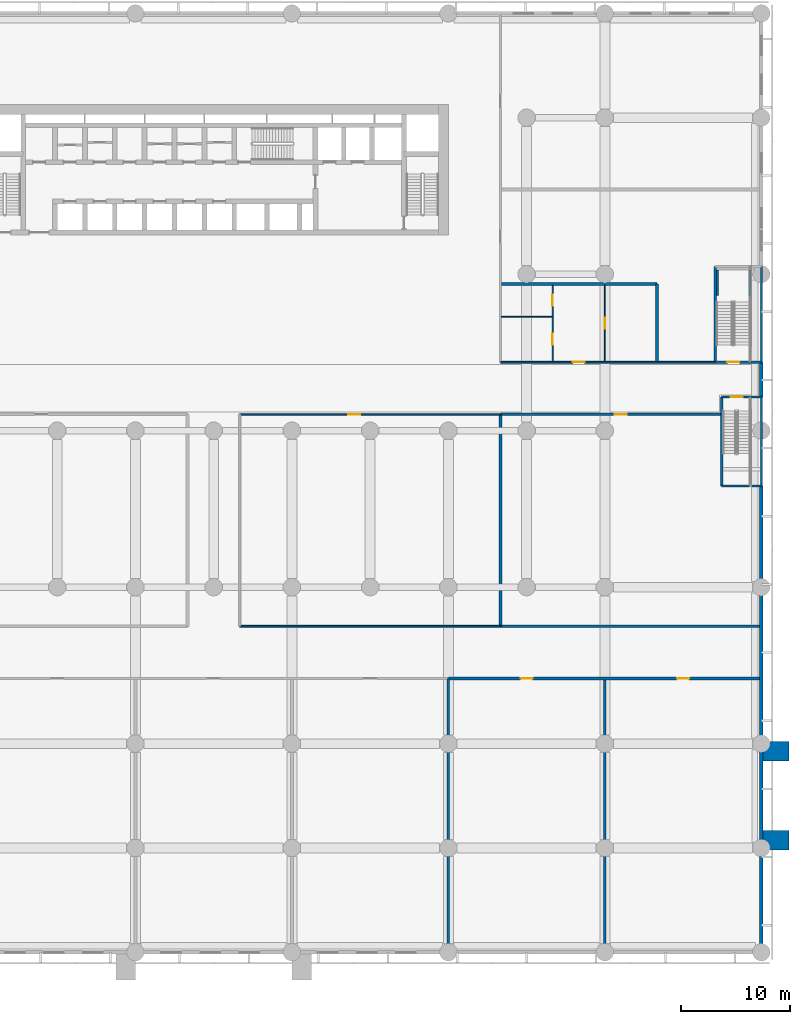
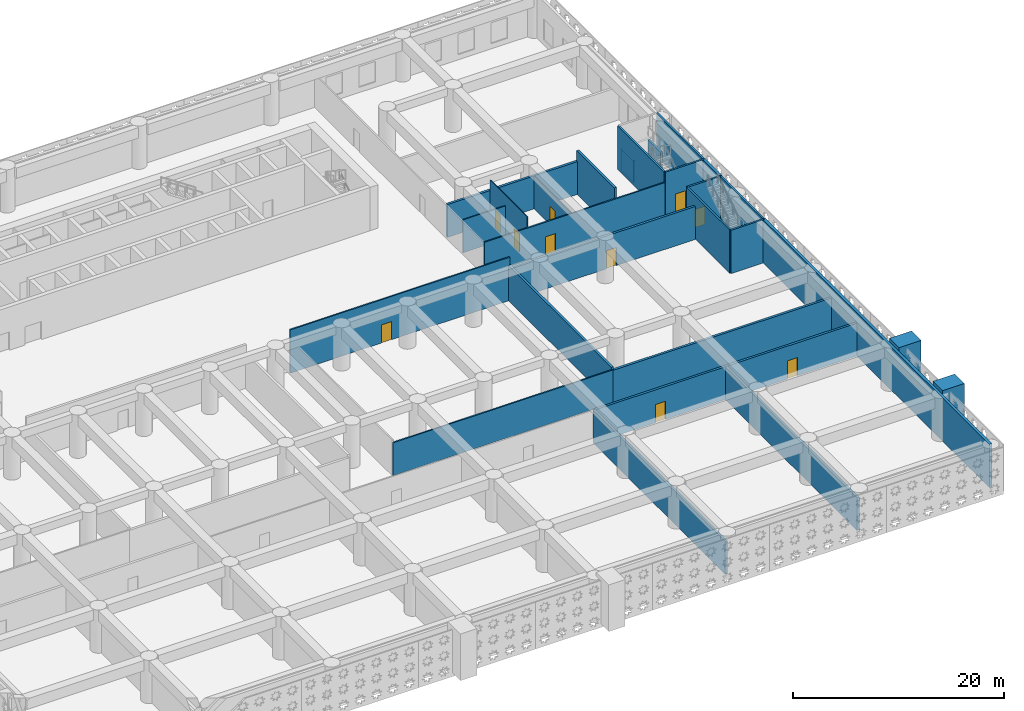
# One storey, part 6 of 30: 27 walls, 10 doors, 10 openings.
"""IFC4 building model written with IfcOpenShell, lengths in metres."""

from ifc_helpers import new_model, si_unit, direction, frame, frame_2d, origin, place, context, subcontext, project, spatial, rectangle, extrude, material, layer, layer_set, type_object, element, fill, save


model = new_model("IFC4")

# Units and contexts
model_context = context("Model", 3, precision=1e-05, world=origin(), true_north=direction((0.0, 1.0)))
body_context = subcontext(model_context, "Body", "Model", "MODEL_VIEW")
ifc_project = project(units=[si_unit("LENGTHUNIT", "METRE"), si_unit("AREAUNIT", "SQUARE_METRE"), si_unit("VOLUMEUNIT", "CUBIC_METRE"), si_unit("PLANEANGLEUNIT", "RADIAN"), si_unit("MASSUNIT", "GRAM", prefix="KILO")], contexts=[model_context])

# Site, building, storey
site_placement = place(None, origin())
site = spatial("IfcSite", under=ifc_project, at=site_placement, CompositionType="ELEMENT")
building_placement = place(site_placement, origin())
building = spatial("IfcBuilding", under=site, at=building_placement, Name="Saffron Iwan Residences", CompositionType="ELEMENT")
storey_placement = place(building_placement, frame((0.0, 0.0, 7.800048828125)))
storey = spatial("IfcBuildingStorey", under=building, at=storey_placement, Name="L01", CompositionType="ELEMENT", Elevation=7.800048828125)

# Wall
ifc_material_1 = material(Name="Concrete blockwork", Category="masonry")
ifc_layer_1 = layer(ifc_material_1, 0.14990234375)
ifc_layer_set_1 = layer_set([ifc_layer_1], Name="Concrete blockwork")
wall_type_1 = type_object("IfcWallType", Name="Blockwork partition 150", PredefinedType="PARTITIONING", material=ifc_layer_set_1)
wall_1_placement = place(storey_placement, frame((52.800048828125, 30.0, 0.0), z_axis=(0.0, 0.0, 1.0), x_axis=(1.0, 0.0, 0.0)))
element("IfcWall", 1, at=wall_1_placement, inside=storey, type_object=wall_type_1, Name="W-L01-006", PredefinedType="PARTITIONING", context=body_context, shape_type="SweptSolid", body=[
    extrude(rectangle(XDim=24.0, YDim=0.14990234375, at=frame_2d((12.0, 0.0))), origin(), (0.0, 0.0, 1.0), 3.800048828125),
])

# Wall, opening, door
wall_2_placement = place(storey_placement, frame((52.800048828125, 49.5, 0.0), z_axis=(0.0, 0.0, 1.0), x_axis=(1.0, 0.0, 0.0)))
wall_2 = element("IfcWall", 2, at=wall_2_placement, inside=storey, type_object=wall_type_1, Name="W-L01-012", PredefinedType="PARTITIONING", context=body_context, shape_type="SweptSolid", body=[
    extrude(rectangle(XDim=24.0, YDim=0.14990234375, at=frame_2d((12.0, 0.0))), origin(), (0.0, 0.0, 1.0), 5.0),
])
opening_1_placement = place(wall_2_placement, frame((10.0, 0.0, 0.0)))
opening_1 = element("IfcOpeningElement", 3, at=opening_1_placement, cuts=wall_2, Name="Opening L01.10", PredefinedType="OPENING", context=body_context, shape_type="SweptSolid", body=[
    extrude(rectangle(XDim=1.10009765625, YDim=2.10009765625, at=frame_2d((0.550048828125, 1.050048828125))), frame((0.0, 0.0849609375, 0.0), z_axis=(0.0, -1.0, 0.0), x_axis=(1.0, 0.0, 0.0)), (0.0, 0.0, 1.0), 0.169921875),
])
ifc_material_2 = material(Name="Timber", Category="wood")
door_type_1 = type_object("IfcDoorType", Name="Door 1100x2100", OperationType="NOTDEFINED", PredefinedType="DOOR", material=ifc_material_2)
door_1_placement = place(opening_1_placement, origin())
door_1 = element("IfcDoor", 4, at=door_1_placement, inside=storey, type_object=door_type_1, Name="D-L01-010", OperationType="SINGLE_SWING_LEFT", OverallHeight=2.10009765625, OverallWidth=1.10009765625, PredefinedType="DOOR", context=body_context, shape_type="SweptSolid", body=[
    extrude(rectangle(XDim=1.10009765625, YDim=2.10009765625, at=frame_2d((0.550048828125, 1.050048828125))), frame((0.0, 0.02490234375, 0.0), z_axis=(0.0, -1.0, 0.0), x_axis=(1.0, 0.0, 0.0)), (0.0, 0.0, 1.0), 0.050048828125),
])
fill(opening_1, door_1)

wall_3_placement = place(storey_placement, frame((76.800048828125, 54.300048828125, 0.0), z_axis=(0.0, 0.0, 1.0), x_axis=(1.0, 0.0, 0.0)))
wall_3 = element("IfcWall", 5, at=wall_3_placement, inside=storey, type_object=wall_type_1, Name="W-L01-017", PredefinedType="PARTITIONING", context=body_context, shape_type="SweptSolid", body=[
    extrude(rectangle(XDim=19.75, YDim=0.14990234375, at=frame_2d((9.875, 0.0))), origin(), (0.0, 0.0, 1.0), 3.800048828125),
])
opening_2_placement = place(wall_3_placement, frame((6.64990234375, 0.0, 0.0)))
opening_2 = element("IfcOpeningElement", 6, at=opening_2_placement, cuts=wall_3, Name="Opening L01.19", PredefinedType="OPENING", context=body_context, shape_type="SweptSolid", body=[
    extrude(rectangle(XDim=1.10009765625, YDim=2.10009765625, at=frame_2d((0.550048828125, 1.050048828125))), frame((0.0, 0.0849609375, 0.0), z_axis=(0.0, -1.0, 0.0), x_axis=(1.0, 0.0, 0.0)), (0.0, 0.0, 1.0), 0.169921875),
])
door_2_placement = place(opening_2_placement, origin())
door_2 = element("IfcDoor", 7, at=door_2_placement, inside=storey, type_object=door_type_1, Name="D-L01-019", OperationType="SINGLE_SWING_LEFT", OverallHeight=2.10009765625, OverallWidth=1.10009765625, PredefinedType="DOOR", context=body_context, shape_type="SweptSolid", body=[
    extrude(rectangle(XDim=1.10009765625, YDim=2.10009765625, at=frame_2d((0.550048828125, 1.050048828125))), frame((0.0, 0.02490234375, 0.0), z_axis=(0.0, -1.0, 0.0), x_axis=(1.0, 0.0, 0.0)), (0.0, 0.0, 1.0), 0.050048828125),
])
fill(opening_2, door_2)

# Wall, openings, doors
ifc_material_3 = material(Name="Concrete C40/50", Category="concrete")
ifc_layer_2 = layer(ifc_material_3, 0.25)
ifc_layer_set_2 = layer_set([ifc_layer_2], Name="Concrete C40/50")
wall_type_2 = type_object("IfcWallType", Name="Fire compartment wall 250", PredefinedType="SOLIDWALL", material=ifc_layer_set_2)
wall_4_placement = place(storey_placement, frame((72.0, 25.199951171875, 0.0), z_axis=(0.0, 0.0, 1.0), x_axis=(1.0, 0.0, 0.0)))
wall_4 = element("IfcWall", 8, at=wall_4_placement, inside=storey, type_object=wall_type_2, Name="W-L01-004", PredefinedType="SOLIDWALL", context=body_context, shape_type="SweptSolid", body=[
    extrude(rectangle(XDim=28.64990234375, YDim=0.25, at=frame_2d((14.324951171875, 0.0))), origin(), (0.0, 0.0, 1.0), 3.800048828125),
])
opening_3_placement = place(wall_4_placement, frame((6.64990234375, 0.0, 0.0)))
opening_3 = element("IfcOpeningElement", 9, at=opening_3_placement, cuts=wall_4, Name="Opening L01.06", PredefinedType="OPENING", context=body_context, shape_type="SweptSolid", body=[
    extrude(rectangle(XDim=1.10009765625, YDim=2.10009765625, at=frame_2d((0.550048828125, 1.050048828125))), frame((0.0, 0.135009765625, 0.0), z_axis=(0.0, -1.0, 0.0), x_axis=(1.0, 0.0, 0.0)), (0.0, 0.0, 1.0), 0.27001953125),
])
opening_4_placement = place(wall_4_placement, frame((21.050048828125, 0.0, 0.0)))
opening_4 = element("IfcOpeningElement", 10, at=opening_4_placement, cuts=wall_4, Name="Opening L01.07", PredefinedType="OPENING", context=body_context, shape_type="SweptSolid", body=[
    extrude(rectangle(XDim=1.10009765625, YDim=2.10009765625, at=frame_2d((0.550048828125, 1.050048828125))), frame((0.0, 0.135009765625, 0.0), z_axis=(0.0, -1.0, 0.0), x_axis=(1.0, 0.0, 0.0)), (0.0, 0.0, 1.0), 0.27001953125),
])
ifc_material_4 = material(Name="Steel", Category="steel")
door_type_2 = type_object("IfcDoorType", Name="Fire door 1100x2100", OperationType="NOTDEFINED", PredefinedType="DOOR", material=ifc_material_4)
door_3_placement = place(opening_3_placement, origin())
door_3 = element("IfcDoor", 11, at=door_3_placement, inside=storey, type_object=door_type_2, Name="D-L01-006", OperationType="SINGLE_SWING_LEFT", OverallHeight=2.10009765625, OverallWidth=1.10009765625, PredefinedType="DOOR", context=body_context, shape_type="SweptSolid", body=[
    extrude(rectangle(XDim=1.10009765625, YDim=2.10009765625, at=frame_2d((0.550048828125, 1.050048828125))), frame((0.0, 0.02490234375, 0.0), z_axis=(0.0, -1.0, 0.0), x_axis=(1.0, 0.0, 0.0)), (0.0, 0.0, 1.0), 0.050048828125),
])
fill(opening_3, door_3)
door_4_placement = place(opening_4_placement, origin())
door_4 = element("IfcDoor", 12, at=door_4_placement, inside=storey, type_object=door_type_2, Name="D-L01-007", OperationType="SINGLE_SWING_RIGHT", OverallHeight=2.10009765625, OverallWidth=1.10009765625, PredefinedType="DOOR", context=body_context, shape_type="SweptSolid", body=[
    extrude(rectangle(XDim=1.10009765625, YDim=2.10009765625, at=frame_2d((0.550048828125, 1.050048828125))), frame((0.0, 0.02490234375, 0.0), z_axis=(0.0, -1.0, 0.0), x_axis=(1.0, 0.0, 0.0)), (0.0, 0.0, 1.0), 0.050048828125),
])
fill(opening_4, door_4)

# Wall
wall_5_placement = place(storey_placement, frame((76.800048828125, 30.0, 0.0), z_axis=(0.0, 0.0, 1.0), x_axis=(1.0, 0.0, 0.0)))
element("IfcWall", 13, at=wall_5_placement, inside=storey, type_object=wall_type_2, Name="W-L01-008", PredefinedType="SOLIDWALL", context=body_context, shape_type="SweptSolid", body=[
    extrude(rectangle(XDim=23.849853515625, YDim=0.25, at=frame_2d((11.9248046875, 0.0))), origin(), (0.0, 0.0, 1.0), 3.800048828125),
])

# Wall, opening, door
wall_6_placement = place(storey_placement, frame((76.800048828125, 49.5, 0.0), z_axis=(0.0, 0.0, 1.0), x_axis=(1.0, 0.0, 0.0)))
wall_6 = element("IfcWall", 14, at=wall_6_placement, inside=storey, type_object=wall_type_2, Name="W-L01-014", PredefinedType="SOLIDWALL", context=body_context, shape_type="SweptSolid", body=[
    extrude(rectangle(XDim=20.25, YDim=0.25, at=frame_2d((10.125, 0.0))), origin(), (0.0, 0.0, 1.0), 3.800048828125),
])
opening_5_placement = place(wall_6_placement, frame((10.52490234375, 0.0, 0.0)))
opening_5 = element("IfcOpeningElement", 15, at=opening_5_placement, cuts=wall_6, Name="Opening L01.11", PredefinedType="OPENING", context=body_context, shape_type="SweptSolid", body=[
    extrude(rectangle(XDim=1.10009765625, YDim=2.10009765625, at=frame_2d((0.550048828125, 1.050048828125))), frame((0.0, 0.135009765625, 0.0), z_axis=(0.0, -1.0, 0.0), x_axis=(1.0, 0.0, 0.0)), (0.0, 0.0, 1.0), 0.27001953125),
])
door_5_placement = place(opening_5_placement, origin())
door_5 = element("IfcDoor", 16, at=door_5_placement, inside=storey, type_object=door_type_2, Name="D-L01-011", OperationType="SINGLE_SWING_RIGHT", OverallHeight=2.10009765625, OverallWidth=1.10009765625, PredefinedType="DOOR", context=body_context, shape_type="SweptSolid", body=[
    extrude(rectangle(XDim=1.10009765625, YDim=2.10009765625, at=frame_2d((0.550048828125, 1.050048828125))), frame((0.0, 0.02490234375, 0.0), z_axis=(0.0, -1.0, 0.0), x_axis=(1.0, 0.0, 0.0)), (0.0, 0.0, 1.0), 0.050048828125),
])
fill(opening_5, door_5)

# Walls
wall_7_placement = place(storey_placement, frame((76.875, 61.5, 0.0), z_axis=(0.0, 0.0, 1.0), x_axis=(1.0, 0.0, 0.0)))
element("IfcWall", 17, at=wall_7_placement, inside=storey, type_object=wall_type_2, Name="W-L01-022", PredefinedType="SOLIDWALL", context=body_context, shape_type="SweptSolid", body=[
    extrude(rectangle(XDim=14.324951171875, YDim=0.25, at=frame_2d((7.16259765625, 0.0))), origin(), (0.0, 0.0, 1.0), 3.800048828125),
])
wall_8_placement = place(storey_placement, frame((72.0, 0.14990234375, 0.0), z_axis=(0.0, 0.0, 1.0), x_axis=(0.0, 1.0, 0.0)))
element("IfcWall", 18, at=wall_8_placement, inside=storey, type_object=wall_type_2, Name="W-L01-044", PredefinedType="SOLIDWALL", context=body_context, shape_type="SweptSolid", body=[
    extrude(rectangle(XDim=25.050048828125, YDim=0.25, at=frame_2d((12.52490234375, 0.0))), origin(), (0.0, 0.0, 1.0), 3.800048828125),
])
wall_9_placement = place(storey_placement, frame((76.800048828125, 30.0, 0.0), z_axis=(0.0, 0.0, 1.0), x_axis=(0.0, 1.0, 0.0)))
element("IfcWall", 19, at=wall_9_placement, inside=storey, type_object=wall_type_2, Name="W-L01-046", PredefinedType="SOLIDWALL", context=body_context, shape_type="SweptSolid", body=[
    extrude(rectangle(XDim=19.5, YDim=0.25, at=frame_2d((9.75, 0.0))), origin(), (0.0, 0.0, 1.0), 4.099853515625),
])
wall_10_placement = place(storey_placement, frame((86.39990234375, 0.14990234375, 0.0), z_axis=(0.0, 0.0, 1.0), x_axis=(0.0, 1.0, 0.0)))
element("IfcWall", 20, at=wall_10_placement, inside=storey, type_object=wall_type_2, Name="W-L01-049", PredefinedType="SOLIDWALL", context=body_context, shape_type="SweptSolid", body=[
    extrude(rectangle(XDim=24.925048828125, YDim=0.25, at=frame_2d((12.46240234375, 0.0))), origin(), (0.0, 0.0, 1.0), 3.800048828125),
])
wall_11_placement = place(storey_placement, frame((91.199951171875, 54.375, 0.0), z_axis=(0.0, 0.0, 1.0), x_axis=(0.0, 1.0, 0.0)))
element("IfcWall", 21, at=wall_11_placement, inside=storey, type_object=wall_type_2, Name="W-L01-050", PredefinedType="SOLIDWALL", context=body_context, shape_type="SweptSolid", body=[
    extrude(rectangle(XDim=7.125, YDim=0.25, at=frame_2d((3.5625, 0.0))), origin(), (0.0, 0.0, 1.0), 5.0),
])
ifc_layer_3 = layer(ifc_material_3, 0.199951171875)
ifc_layer_set_3 = layer_set([ifc_layer_3], Name="Concrete C40/50")
wall_type_3 = type_object("IfcWallType", Name="Landing support wall, reinforced concrete 200", PredefinedType="SOLIDWALL", material=ifc_layer_set_3)
for number, where, z_axis, x_axis, name in (
    (22, (96.75, 60.419921875, 0.0), (0.0, 0.0, 1.0), (0.0, 1.0, 0.0), "PS4 landing support wall"),
    (23, (99.699951171875, 60.419921875, 0.0), (0.0, 0.0, 1.0), (0.0, 1.0, 0.0), "PS4 landing support wall"),
):
    element("IfcWall", number, at=place(storey_placement, frame(where, z_axis=z_axis, x_axis=x_axis)), inside=storey, type_object=wall_type_3, Name=name, PredefinedType="SOLIDWALL", context=body_context, shape_type="SweptSolid", body=[
        extrude(rectangle(XDim=2.380126953125, YDim=0.199951171875, at=frame_2d((1.18994140625, 0.0))), origin(), (0.0, 0.0, 1.0), 2.5),
    ])
ifc_material_5 = material(Name="Plasterboard")
ifc_layer_4 = layer(ifc_material_5, 0.10009765625)
ifc_layer_set_4 = layer_set([ifc_layer_4], Name="Plasterboard")
wall_type_4 = type_object("IfcWallType", Name="Plasterboard partition 100", PredefinedType="PARTITIONING", material=ifc_layer_set_4)
wall_12_placement = place(storey_placement, frame((76.875, 58.5, 0.0), z_axis=(0.0, 0.0, 1.0), x_axis=(1.0, 0.0, 0.0)))
element("IfcWall", 24, at=wall_12_placement, inside=storey, type_object=wall_type_4, Name="W-L01-021", PredefinedType="PARTITIONING", context=body_context, shape_type="SweptSolid", body=[
    extrude(rectangle(XDim=4.675048828125, YDim=0.10009765625, at=frame_2d((2.33740234375, 0.0))), origin(), (0.0, 0.0, 1.0), 3.800048828125),
])

# Wall, openings, doors
wall_13_placement = place(storey_placement, frame((81.60009765625, 54.375, 0.0), z_axis=(0.0, 0.0, 1.0), x_axis=(0.0, 1.0, 0.0)))
wall_13 = element("IfcWall", 25, at=wall_13_placement, inside=storey, type_object=wall_type_4, Name="W-L01-047", PredefinedType="PARTITIONING", context=body_context, shape_type="SweptSolid", body=[
    extrude(rectangle(XDim=7.0, YDim=0.10009765625, at=frame_2d((3.5, 0.0))), origin(), (0.0, 0.0, 1.0), 5.0),
])
opening_6_placement = place(wall_13_placement, frame((1.52490234375, 0.0, 0.0)))
opening_6 = element("IfcOpeningElement", 26, at=opening_6_placement, cuts=wall_13, Name="Opening L01.16", PredefinedType="OPENING", context=body_context, shape_type="SweptSolid", body=[
    extrude(rectangle(XDim=1.0, YDim=2.10009765625, at=frame_2d((0.5, 1.050048828125))), frame((0.0, 0.06005859375, 0.0), z_axis=(0.0, -1.0, 0.0), x_axis=(1.0, 0.0, 0.0)), (0.0, 0.0, 1.0), 0.1201171875),
])
opening_7_placement = place(wall_13_placement, frame((5.125, 0.0, 0.0)))
opening_7 = element("IfcOpeningElement", 27, at=opening_7_placement, cuts=wall_13, Name="Opening L01.17", PredefinedType="OPENING", context=body_context, shape_type="SweptSolid", body=[
    extrude(rectangle(XDim=1.0, YDim=2.10009765625, at=frame_2d((0.5, 1.050048828125))), frame((0.0, 0.06005859375, 0.0), z_axis=(0.0, -1.0, 0.0), x_axis=(1.0, 0.0, 0.0)), (0.0, 0.0, 1.0), 0.1201171875),
])
door_type_3 = type_object("IfcDoorType", Name="Door 1000x2100", OperationType="NOTDEFINED", PredefinedType="DOOR", material=ifc_material_2)
door_6_placement = place(opening_6_placement, origin())
door_6 = element("IfcDoor", 28, at=door_6_placement, inside=storey, type_object=door_type_3, Name="D-L01-016", OperationType="SINGLE_SWING_LEFT", OverallHeight=2.10009765625, OverallWidth=1.0, PredefinedType="DOOR", context=body_context, shape_type="SweptSolid", body=[
    extrude(rectangle(XDim=1.0, YDim=2.10009765625, at=frame_2d((0.5, 1.050048828125))), frame((0.0, 0.02490234375, 0.0), z_axis=(0.0, -1.0, 0.0), x_axis=(1.0, 0.0, 0.0)), (0.0, 0.0, 1.0), 0.050048828125),
])
fill(opening_6, door_6)
door_7_placement = place(opening_7_placement, origin())
door_7 = element("IfcDoor", 29, at=door_7_placement, inside=storey, type_object=door_type_3, Name="D-L01-017", OperationType="SINGLE_SWING_RIGHT", OverallHeight=2.10009765625, OverallWidth=1.0, PredefinedType="DOOR", context=body_context, shape_type="SweptSolid", body=[
    extrude(rectangle(XDim=1.0, YDim=2.10009765625, at=frame_2d((0.5, 1.050048828125))), frame((0.0, 0.02490234375, 0.0), z_axis=(0.0, -1.0, 0.0), x_axis=(1.0, 0.0, 0.0)), (0.0, 0.0, 1.0), 0.050048828125),
])
fill(opening_7, door_7)

# Wall, opening, door
wall_14_placement = place(storey_placement, frame((86.39990234375, 54.375, 0.0), z_axis=(0.0, 0.0, 1.0), x_axis=(0.0, 1.0, 0.0)))
wall_14 = element("IfcWall", 30, at=wall_14_placement, inside=storey, type_object=wall_type_4, Name="W-L01-048", PredefinedType="PARTITIONING", context=body_context, shape_type="SweptSolid", body=[
    extrude(rectangle(XDim=7.0, YDim=0.10009765625, at=frame_2d((3.5, 0.0))), origin(), (0.0, 0.0, 1.0), 3.800048828125),
])
opening_8_placement = place(wall_14_placement, frame((3.02490234375, 0.0, 0.0)))
opening_8 = element("IfcOpeningElement", 31, at=opening_8_placement, cuts=wall_14, Name="Opening L01.18", PredefinedType="OPENING", context=body_context, shape_type="SweptSolid", body=[
    extrude(rectangle(XDim=1.0, YDim=2.10009765625, at=frame_2d((0.5, 1.050048828125))), frame((0.0, 0.06005859375, 0.0), z_axis=(0.0, -1.0, 0.0), x_axis=(1.0, 0.0, 0.0)), (0.0, 0.0, 1.0), 0.1201171875),
])
door_8_placement = place(opening_8_placement, origin())
door_8 = element("IfcDoor", 32, at=door_8_placement, inside=storey, type_object=door_type_3, Name="D-L01-018", OperationType="SINGLE_SWING_RIGHT", OverallHeight=2.10009765625, OverallWidth=1.0, PredefinedType="DOOR", context=body_context, shape_type="SweptSolid", body=[
    extrude(rectangle(XDim=1.0, YDim=2.10009765625, at=frame_2d((0.5, 1.050048828125))), frame((0.0, 0.02490234375, 0.0), z_axis=(0.0, -1.0, 0.0), x_axis=(1.0, 0.0, 0.0)), (0.0, 0.0, 1.0), 0.050048828125),
])
fill(opening_8, door_8)

# Walls
ifc_material_6 = material(Name="Precast concrete C40/50", Category="concrete")
ifc_layer_5 = layer(ifc_material_6, 0.300048828125)
ifc_layer_set_5 = layer_set([ifc_layer_5], Name="Precast concrete C40/50")
wall_type_5 = type_object("IfcWallType", Name="Podium external wall 300", PredefinedType="SOLIDWALL", material=ifc_layer_set_5)
wall_15_placement = place(storey_placement, frame((100.800048828125, 0.0, 0.0), z_axis=(0.0, 0.0, 1.0), x_axis=(0.0, 1.0, 0.0)))
element("IfcWall", 33, at=wall_15_placement, inside=storey, type_object=wall_type_5, Name="W-L01-053", PredefinedType="SOLIDWALL", context=body_context, shape_type="SweptSolid", body=[
    extrude(rectangle(XDim=42.89990234375, YDim=0.300048828125, at=frame_2d((21.449951171875, 0.0))), origin(), (0.0, 0.0, 1.0), 5.0),
])
wall_16_placement = place(storey_placement, frame((100.800048828125, 51.10009765625, 0.0), z_axis=(0.0, 0.0, 1.0), x_axis=(0.0, 1.0, 0.0)))
element("IfcWall", 34, at=wall_16_placement, inside=storey, type_object=wall_type_5, Name="W-L01-054", PredefinedType="SOLIDWALL", context=body_context, shape_type="SweptSolid", body=[
    extrude(rectangle(XDim=3.199951171875, YDim=0.300048828125, at=frame_2d((1.60009765625, 0.0))), origin(), (0.0, 0.0, 1.0), 5.0),
])
ifc_material_7 = material(Name="Terracotta coloured precast concrete C40/50", Category="masonry")
ifc_layer_6 = layer(ifc_material_7, 1.800048828125)
ifc_layer_set_6 = layer_set([ifc_layer_6], Name="Terracotta coloured precast concrete C40/50")
wall_type_6 = type_object("IfcWallType", Name="Portal pier, precast concrete 1800", PredefinedType="SOLIDWALL", material=ifc_layer_set_6)
for number, where, z_axis, x_axis, name in (
    (35, (100.949951171875, 10.300048828125, 0.0), (0.0, 0.0, 1.0), (1.0, 0.0, 0.0), "Portal pier E end S L01"),
    (36, (100.949951171875, 18.5, 0.0), (0.0, 0.0, 1.0), (1.0, 0.0, 0.0), "Portal pier E end N L01"),
):
    element("IfcWall", number, at=place(storey_placement, frame(where, z_axis=z_axis, x_axis=x_axis)), inside=storey, type_object=wall_type_6, Name=name, PredefinedType="SOLIDWALL", context=body_context, shape_type="SweptSolid", body=[
        extrude(rectangle(XDim=2.400146484375, YDim=1.800048828125, at=frame_2d((1.2001953125, 0.0))), origin(), (0.0, 0.0, 1.0), 5.39990234375),
    ])
ifc_layer_7 = layer(ifc_material_3, 0.199951171875)
ifc_layer_set_7 = layer_set([ifc_layer_7], Name="Concrete C40/50")
wall_type_7 = type_object("IfcWallType", Name="Reinforced concrete stair wall 200", PredefinedType="SOLIDWALL", material=ifc_layer_set_7)
wall_17_placement = place(storey_placement, frame((97.14990234375, 42.89990234375, 0.0), z_axis=(0.0, 0.0, 1.0), x_axis=(1.0, 0.0, 0.0)))
element("IfcWall", 37, at=wall_17_placement, inside=storey, type_object=wall_type_7, Name="W-L01-010", PredefinedType="SOLIDWALL", context=body_context, shape_type="SweptSolid", body=[
    extrude(rectangle(XDim=3.650146484375, YDim=0.199951171875, at=frame_2d((1.8251953125, 0.0))), origin(), (0.0, 0.0, 1.0), 5.0),
])

# Wall, opening, door
wall_18_placement = place(storey_placement, frame((97.14990234375, 51.10009765625, 0.0), z_axis=(0.0, 0.0, 1.0), x_axis=(1.0, 0.0, 0.0)))
wall_18 = element("IfcWall", 38, at=wall_18_placement, inside=storey, type_object=wall_type_7, Name="W-L01-016", PredefinedType="SOLIDWALL", context=body_context, shape_type="SweptSolid", body=[
    extrude(rectangle(XDim=3.650146484375, YDim=0.199951171875, at=frame_2d((1.8251953125, 0.0))), origin(), (0.0, 0.0, 1.0), 5.0),
])
opening_9_placement = place(wall_18_placement, frame((0.824951171875, 0.0, 0.0)))
opening_9 = element("IfcOpeningElement", 39, at=opening_9_placement, cuts=wall_18, Name="Opening L01.21", PredefinedType="OPENING", context=body_context, shape_type="SweptSolid", body=[
    extrude(rectangle(XDim=1.10009765625, YDim=2.10009765625, at=frame_2d((0.550048828125, 1.050048828125))), frame((0.0, 0.10986328125, 0.0), z_axis=(0.0, -1.0, 0.0), x_axis=(1.0, 0.0, 0.0)), (0.0, 0.0, 1.0), 0.219970703125),
])
door_9_placement = place(opening_9_placement, origin())
door_9 = element("IfcDoor", 40, at=door_9_placement, inside=storey, type_object=door_type_2, Name="D-L01-021", OperationType="SINGLE_SWING_LEFT", OverallHeight=2.10009765625, OverallWidth=1.10009765625, PredefinedType="DOOR", context=body_context, shape_type="SweptSolid", body=[
    extrude(rectangle(XDim=1.10009765625, YDim=2.10009765625, at=frame_2d((0.550048828125, 1.050048828125))), frame((0.0, 0.02490234375, 0.0), z_axis=(0.0, -1.0, 0.0), x_axis=(1.0, 0.0, 0.0)), (0.0, 0.0, 1.0), 0.050048828125),
])
fill(opening_9, door_9)

wall_19_placement = place(storey_placement, frame((96.550048828125, 54.300048828125, 0.0), z_axis=(0.0, 0.0, 1.0), x_axis=(1.0, 0.0, 0.0)))
wall_19 = element("IfcWall", 41, at=wall_19_placement, inside=storey, type_object=wall_type_7, Name="W-L01-019", PredefinedType="SOLIDWALL", context=body_context, shape_type="SweptSolid", body=[
    extrude(rectangle(XDim=4.25, YDim=0.199951171875, at=frame_2d((2.125, 0.0))), origin(), (0.0, 0.0, 1.0), 5.0),
])
opening_10_placement = place(wall_19_placement, frame((1.125, 0.0, 0.0)))
opening_10 = element("IfcOpeningElement", 42, at=opening_10_placement, cuts=wall_19, Name="Opening L01.23", PredefinedType="OPENING", context=body_context, shape_type="SweptSolid", body=[
    extrude(rectangle(XDim=1.10009765625, YDim=2.10009765625, at=frame_2d((0.550048828125, 1.050048828125))), frame((0.0, 0.10986328125, 0.0), z_axis=(0.0, -1.0, 0.0), x_axis=(1.0, 0.0, 0.0)), (0.0, 0.0, 1.0), 0.219970703125),
])
door_10_placement = place(opening_10_placement, origin())
door_10 = element("IfcDoor", 43, at=door_10_placement, inside=storey, type_object=door_type_2, Name="D-L01-023", OperationType="SINGLE_SWING_LEFT", OverallHeight=2.10009765625, OverallWidth=1.10009765625, PredefinedType="DOOR", context=body_context, shape_type="SweptSolid", body=[
    extrude(rectangle(XDim=1.10009765625, YDim=2.10009765625, at=frame_2d((0.550048828125, 1.050048828125))), frame((0.0, 0.02490234375, 0.0), z_axis=(0.0, -1.0, 0.0), x_axis=(1.0, 0.0, 0.0)), (0.0, 0.0, 1.0), 0.050048828125),
])
fill(opening_10, door_10)

# Walls
wall_20_placement = place(storey_placement, frame((96.550048828125, 54.300048828125, 0.0), z_axis=(0.0, 0.0, 1.0), x_axis=(0.0, 1.0, 0.0)))
element("IfcWall", 44, at=wall_20_placement, inside=storey, type_object=wall_type_7, Name="W-L01-051", PredefinedType="SOLIDWALL", context=body_context, shape_type="SweptSolid", body=[
    extrude(rectangle(XDim=8.800048828125, YDim=0.199951171875, at=frame_2d((4.39990234375, 0.0))), origin(), (0.0, 0.0, 1.0), 5.0),
])
for number, where, z_axis, x_axis, name in (
    (45, (97.14990234375, 42.89990234375, 0.0), (0.0, 0.0, 1.0), (0.0, 1.0, 0.0), "W-L01-052"),
    (46, (100.800048828125, 42.89990234375, 0.0), (0.0, 0.0, 1.0), (0.0, 1.0, 0.0), "W-L01-056"),
):
    element("IfcWall", number, at=place(storey_placement, frame(where, z_axis=z_axis, x_axis=x_axis)), inside=storey, type_object=wall_type_7, Name=name, PredefinedType="SOLIDWALL", context=body_context, shape_type="SweptSolid", body=[
        extrude(rectangle(XDim=8.2001953125, YDim=0.199951171875, at=frame_2d((4.10009765625, 0.0))), origin(), (0.0, 0.0, 1.0), 5.0),
    ])
wall_21_placement = place(storey_placement, frame((100.800048828125, 54.300048828125, 0.0), z_axis=(0.0, 0.0, 1.0), x_axis=(0.0, 1.0, 0.0)))
element("IfcWall", 47, at=wall_21_placement, inside=storey, type_object=wall_type_7, Name="W-L01-057", PredefinedType="SOLIDWALL", context=body_context, shape_type="SweptSolid", body=[
    extrude(rectangle(XDim=8.800048828125, YDim=0.199951171875, at=frame_2d((4.39990234375, 0.0))), origin(), (0.0, 0.0, 1.0), 5.0),
])

save(model, "model.ifc")
